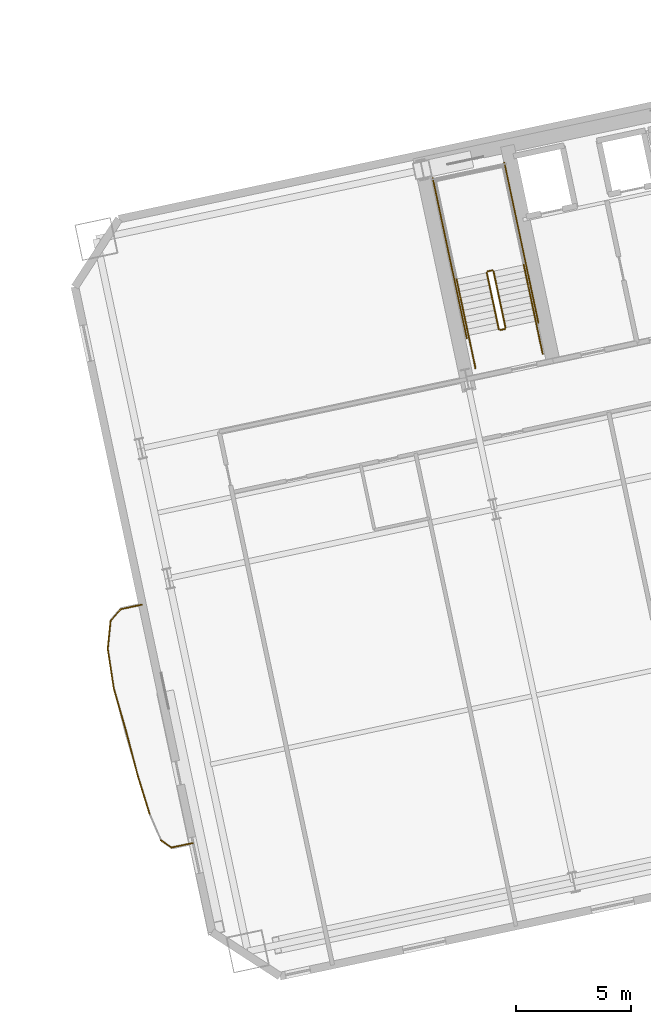
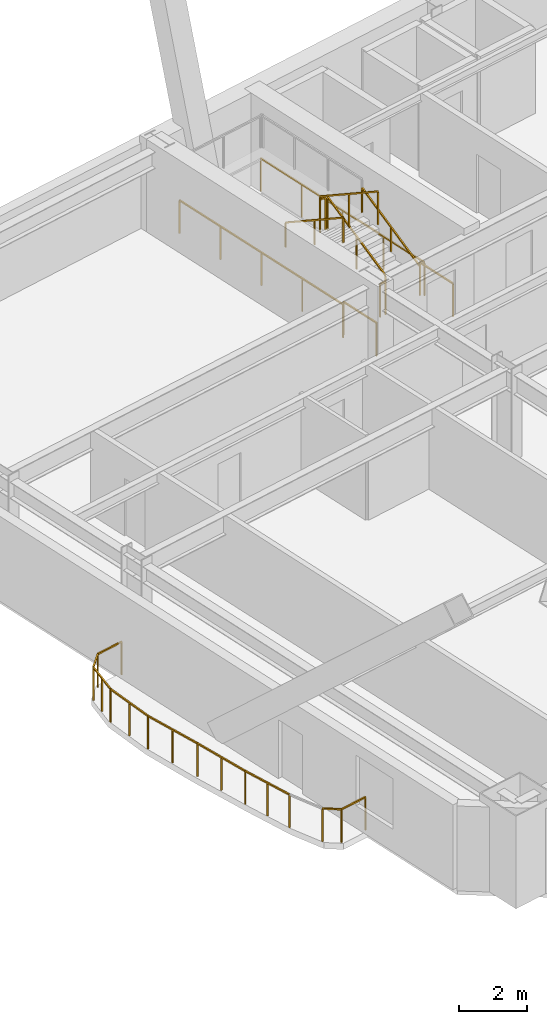
# One storey, part 15 of 17: 19 railings.
"""IFC4 building model written with IfcOpenShell, lengths in metres."""

from ifc_helpers import new_model, si_unit, direction, frame, origin, origin_2d, place, context, subcontext, project, spatial, rectangle, extrude, material, type_object, element, save


model = new_model("IFC4")

# Units and contexts
model_context = context("Model", 3, precision=1e-05, world=origin(), true_north=direction((0.0, 1.0)))
body_context = subcontext(model_context, "Body", "Model", "MODEL_VIEW")
ifc_project = project(units=[si_unit("LENGTHUNIT", "METRE"), si_unit("AREAUNIT", "SQUARE_METRE"), si_unit("VOLUMEUNIT", "CUBIC_METRE"), si_unit("PLANEANGLEUNIT", "RADIAN"), si_unit("MASSUNIT", "GRAM", prefix="KILO")], contexts=[model_context])

# Site, building, storey
site_placement = place(None, origin())
site = spatial("IfcSite", under=ifc_project, at=site_placement, CompositionType="ELEMENT")
building_placement = place(site_placement, origin())
building = spatial("IfcBuilding", under=site, at=building_placement, Name="Haevon Station Towers", CompositionType="ELEMENT")
storey_placement = place(building_placement, frame((0.0, 0.0, 40.5)))
storey = spatial("IfcBuildingStorey", under=building, at=storey_placement, Name="L09", CompositionType="ELEMENT", Elevation=40.5)

# Railings
ifc_material = material(Name="Steel S355", Category="steel")
railing_type_1 = type_object("IfcRailingType", Name="GRD-EXT1200", PredefinedType="GUARDRAIL", material=ifc_material)
railing_1_placement = place(storey_placement, frame((84.5654296875, 27.599853515625, 0.0)))
element("IfcRailing", 1, at=railing_1_placement, inside=storey, type_object=railing_type_1, Name="L09 Perimeter Guardrail 1", PredefinedType="GUARDRAIL", context=body_context, shape_type="SweptSolid", body=[
    extrude(rectangle(XDim=0.048095703125, YDim=0.048095703125, at=origin_2d()), frame((0.0, 0.0, 1.17578125), z_axis=(-0.977684892297, -0.210076774952, 0.0), x_axis=(0.210076774952, -0.977684892297, 0.0)), (0.0, 0.0, 1.0), 0.943603515625),
    extrude(rectangle(XDim=0.0419921875, YDim=0.0419921875, at=origin_2d()), origin(), (0.0, 0.0, 1.0), 1.15185546875),
    extrude(rectangle(XDim=0.0419921875, YDim=0.0419921875, at=origin_2d()), frame((-0.922607421875, -0.1982421875, 0.0)), (0.0, 0.0, 1.0), 1.15185546875),
])
railing_2_placement = place(storey_placement, frame((83.642822265625, 27.401611328125, 0.0)))
element("IfcRailing", 2, at=railing_2_placement, inside=storey, type_object=railing_type_1, Name="L09 Perimeter Guardrail 2", PredefinedType="GUARDRAIL", context=body_context, shape_type="SweptSolid", body=[
    extrude(rectangle(XDim=0.048095703125, YDim=0.048095703125, at=origin_2d()), frame((0.0, 0.0, 1.17578125), z_axis=(-0.655842218903, -0.754897995695, 0.0), x_axis=(0.754897995695, -0.655842218903, 0.0)), (0.0, 0.0, 1.0), 0.6826171875),
    extrude(rectangle(XDim=0.0419921875, YDim=0.0419921875, at=origin_2d()), origin(), (0.0, 0.0, 1.0), 1.15185546875),
    extrude(rectangle(XDim=0.0419921875, YDim=0.0419921875, at=origin_2d()), frame((-0.44775390625, -0.515380859375, 0.0)), (0.0, 0.0, 1.0), 1.15185546875),
])
railing_3_placement = place(storey_placement, frame((83.195068359375, 26.88623046875, 0.0)))
element("IfcRailing", 3, at=railing_3_placement, inside=storey, type_object=railing_type_1, Name="L09 Perimeter Guardrail 3", PredefinedType="GUARDRAIL", context=body_context, shape_type="SweptSolid", body=[
    extrude(rectangle(XDim=0.048095703125, YDim=0.048095703125, at=origin_2d()), frame((0.0, 0.0, 1.17578125), z_axis=(-0.098459885115, -0.995141020671, 0.0), x_axis=(0.995141020671, -0.098459885115, 0.0)), (0.0, 0.0, 1.0), 1.227294921875),
    extrude(rectangle(XDim=0.0419921875, YDim=0.0419921875, at=origin_2d()), origin(), (0.0, 0.0, 1.0), 1.15185546875),
    extrude(rectangle(XDim=0.0419921875, YDim=0.0419921875, at=origin_2d()), frame((-0.060546875, -0.61083984375, 0.0)), (0.0, 0.0, 1.0), 1.15185546875),
    extrude(rectangle(XDim=0.0419921875, YDim=0.0419921875, at=origin_2d()), frame((-0.120849609375, -1.221435546875, 0.0)), (0.0, 0.0, 1.0), 1.15185546875),
])
railing_4_placement = place(storey_placement, frame((83.07421875, 25.664794921875, 0.0)))
element("IfcRailing", 4, at=railing_4_placement, inside=storey, type_object=railing_type_1, Name="L09 Perimeter Guardrail 4", PredefinedType="GUARDRAIL", context=body_context, shape_type="SweptSolid", body=[
    extrude(rectangle(XDim=0.048095703125, YDim=0.048095703125, at=origin_2d()), frame((0.0, 0.0, 1.17578125), z_axis=(0.151114322606, -0.988516292988, 0.0), x_axis=(0.988516292988, 0.151114322606, 0.0)), (0.0, 0.0, 1.0), 1.751220703125),
    extrude(rectangle(XDim=0.0419921875, YDim=0.0419921875, at=origin_2d()), origin(), (0.0, 0.0, 1.0), 1.15185546875),
    extrude(rectangle(XDim=0.0419921875, YDim=0.0419921875, at=origin_2d()), frame((0.13232421875, -0.86572265625, 0.0)), (0.0, 0.0, 1.0), 1.15185546875),
    extrude(rectangle(XDim=0.0419921875, YDim=0.0419921875, at=origin_2d()), frame((0.2646484375, -1.731201171875, 0.0)), (0.0, 0.0, 1.0), 1.15185546875),
])
railing_5_placement = place(storey_placement, frame((83.3388671875, 23.93359375, 0.0)))
element("IfcRailing", 5, at=railing_5_placement, inside=storey, type_object=railing_type_1, Name="L09 Perimeter Guardrail 5", PredefinedType="GUARDRAIL", context=body_context, shape_type="SweptSolid", body=[
    extrude(rectangle(XDim=0.048095703125, YDim=0.048095703125, at=origin_2d()), frame((0.0, 0.0, 1.17578125), z_axis=(0.275835687337, -0.961204803146, 0.0), x_axis=(0.961204803146, 0.275835687337, 0.0)), (0.0, 0.0, 1.0), 1.995849609375),
    extrude(rectangle(XDim=0.0419921875, YDim=0.0419921875, at=origin_2d()), origin(), (0.0, 0.0, 1.0), 1.15185546875),
    extrude(rectangle(XDim=0.0419921875, YDim=0.0419921875, at=origin_2d()), frame((0.275390625, -0.959228515625, 0.0)), (0.0, 0.0, 1.0), 1.15185546875),
    extrude(rectangle(XDim=0.0419921875, YDim=0.0419921875, at=origin_2d()), frame((0.550537109375, -1.91845703125, 0.0)), (0.0, 0.0, 1.0), 1.15185546875),
])
railing_6_placement = place(storey_placement, frame((83.889404296875, 22.01513671875, 0.0)))
element("IfcRailing", 6, at=railing_6_placement, inside=storey, type_object=railing_type_1, Name="L09 Perimeter Guardrail 6", PredefinedType="GUARDRAIL", context=body_context, shape_type="SweptSolid", body=[
    extrude(rectangle(XDim=0.048095703125, YDim=0.048095703125, at=origin_2d()), frame((0.0, 0.0, 1.17578125), z_axis=(0.254203560264, -0.967150737966, 0.0), x_axis=(0.967150737966, 0.254203560264, 0.0)), (0.0, 0.0, 1.0), 1.990966796875),
    extrude(rectangle(XDim=0.0419921875, YDim=0.0419921875, at=origin_2d()), origin(), (0.0, 0.0, 1.0), 1.15185546875),
    extrude(rectangle(XDim=0.0419921875, YDim=0.0419921875, at=origin_2d()), frame((0.2529296875, -0.962890625, 0.0)), (0.0, 0.0, 1.0), 1.15185546875),
    extrude(rectangle(XDim=0.0419921875, YDim=0.0419921875, at=origin_2d()), frame((0.506103515625, -1.925537109375, 0.0)), (0.0, 0.0, 1.0), 1.15185546875),
])
railing_7_placement = place(storey_placement, frame((84.3955078125, 20.089599609375, 0.0)))
element("IfcRailing", 7, at=railing_7_placement, inside=storey, type_object=railing_type_1, Name="L09 Perimeter Guardrail 7", PredefinedType="GUARDRAIL", context=body_context, shape_type="SweptSolid", body=[
    extrude(rectangle(XDim=0.048095703125, YDim=0.048095703125, at=origin_2d()), frame((0.0, 0.0, 1.17578125), z_axis=(0.295267067972, -0.955414757355, 0.0), x_axis=(0.955414757355, 0.295267067972, 0.0)), (0.0, 0.0, 1.0), 1.757080078125),
    extrude(rectangle(XDim=0.0419921875, YDim=0.0419921875, at=origin_2d()), origin(), (0.0, 0.0, 1.0), 1.15185546875),
    extrude(rectangle(XDim=0.0419921875, YDim=0.0419921875, at=origin_2d()), frame((0.25927734375, -0.83935546875, 0.0)), (0.0, 0.0, 1.0), 1.15185546875),
    extrude(rectangle(XDim=0.0419921875, YDim=0.0419921875, at=origin_2d()), frame((0.518798828125, -1.6787109375, 0.0)), (0.0, 0.0, 1.0), 1.15185546875),
])
railing_8_placement = place(storey_placement, frame((85.39306640625, 17.316162109375, 0.0)))
element("IfcRailing", 8, at=railing_8_placement, inside=storey, type_object=railing_type_1, Name="L09 Perimeter Guardrail 9", PredefinedType="GUARDRAIL", context=body_context, shape_type="SweptSolid", body=[
    extrude(rectangle(XDim=0.048095703125, YDim=0.048095703125, at=origin_2d()), frame((0.0, 0.0, 1.17578125), z_axis=(0.820126954301, -0.572181596024, 0.0), x_axis=(0.572181596024, 0.820126954301, 0.0)), (0.0, 0.0, 1.0), 0.563232421875),
    extrude(rectangle(XDim=0.0419921875, YDim=0.0419921875, at=origin_2d()), origin(), (0.0, 0.0, 1.0), 1.15185546875),
    extrude(rectangle(XDim=0.0419921875, YDim=0.0419921875, at=origin_2d()), frame((0.4619140625, -0.322265625, 0.0)), (0.0, 0.0, 1.0), 1.15185546875),
])
railing_9_placement = place(storey_placement, frame((85.85498046875, 16.993896484375, 0.0)))
element("IfcRailing", 9, at=railing_9_placement, inside=storey, type_object=railing_type_1, Name="L09 Perimeter Guardrail 10", PredefinedType="GUARDRAIL", context=body_context, shape_type="SweptSolid", body=[
    extrude(rectangle(XDim=0.048095703125, YDim=0.048095703125, at=origin_2d()), frame((0.0, 0.0, 1.17578125), z_axis=(0.978571736022, 0.205906186062, 0.0), x_axis=(-0.205906186062, 0.978571736022, 0.0)), (0.0, 0.0, 1.0), 0.94384765625),
    extrude(rectangle(XDim=0.0419921875, YDim=0.0419921875, at=origin_2d()), origin(), (0.0, 0.0, 1.0), 1.15185546875),
    extrude(rectangle(XDim=0.0419921875, YDim=0.0419921875, at=origin_2d()), frame((0.923583984375, 0.1943359375, 0.0)), (0.0, 0.0, 1.0), 1.15185546875),
])
railing_type_2 = type_object("IfcRailingType", Name="GRD-STR1200", PredefinedType="GUARDRAIL", material=ifc_material)
railing_10_placement = place(storey_placement, frame((100.44140625, 39.69287109375, 0.1650390625)))
element("IfcRailing", 10, at=railing_10_placement, inside=storey, type_object=railing_type_2, Name="L09 ST3 Stair Guard 1", PredefinedType="GUARDRAIL", context=body_context, shape_type="SweptSolid", body=[
    extrude(rectangle(XDim=0.048095703125, YDim=0.048095703125, at=origin_2d()), frame((0.0, 0.0, 1.17578125), z_axis=(-0.179128856099, 0.842723639875, 0.507670877349), x_axis=(-0.978147030254, -0.207914374695, 0.0)), (0.0, 0.0, 1.0), 2.9248046875),
    extrude(rectangle(XDim=0.0419921875, YDim=0.0419921875, at=origin_2d()), origin(), (0.0, 0.0, 1.0), 1.15185546875),
    extrude(rectangle(XDim=0.0419921875, YDim=0.0419921875, at=origin_2d()), frame((-0.261962890625, 1.232421875, 0.742431640625)), (0.0, 0.0, 1.0), 1.15185546875),
    extrude(rectangle(XDim=0.0419921875, YDim=0.0419921875, at=origin_2d()), frame((-0.52392578125, 2.46484375, 1.48486328125)), (0.0, 0.0, 1.0), 1.15185546875),
])
railing_11_placement = place(storey_placement, frame((99.858154296875, 42.1962890625, 1.64990234375)))
element("IfcRailing", 11, at=railing_11_placement, inside=storey, type_object=railing_type_2, Name="L09 ST3 Stair Guard 2", PredefinedType="GUARDRAIL", context=body_context, shape_type="SweptSolid", body=[
    extrude(rectangle(XDim=0.048095703125, YDim=0.048095703125, at=origin_2d()), frame((0.0, 0.0, 1.17578125), z_axis=(-0.977962931203, -0.208778603291, 0.0), x_axis=(0.208778603291, -0.977962931203, 0.0)), (0.0, 0.0, 1.0), 0.199951171875),
    extrude(rectangle(XDim=0.0419921875, YDim=0.0419921875, at=origin_2d()), origin(), (0.0, 0.0, 1.0), 1.15185546875),
    extrude(rectangle(XDim=0.0419921875, YDim=0.0419921875, at=origin_2d()), frame((-0.195556640625, -0.041748046875, 0.0)), (0.0, 0.0, 1.0), 1.15185546875),
])
railing_12_placement = place(storey_placement, frame((99.6240234375, 42.09521484375, 1.81494140625)))
element("IfcRailing", 12, at=railing_12_placement, inside=storey, type_object=railing_type_2, Name="L09 ST3 Stair Guard 6", PredefinedType="GUARDRAIL", context=body_context, shape_type="SweptSolid", body=[
    extrude(rectangle(XDim=0.048095703125, YDim=0.048095703125, at=origin_2d()), frame((0.0, 0.0, 1.17578125), z_axis=(0.179121265225, -0.842687928106, 0.507732831485), x_axis=(0.978147030254, 0.207914374695, 0.0)), (0.0, 0.0, 1.0), 2.925048828125),
    extrude(rectangle(XDim=0.0419921875, YDim=0.0419921875, at=origin_2d()), origin(), (0.0, 0.0, 1.0), 1.15185546875),
    extrude(rectangle(XDim=0.0419921875, YDim=0.0419921875, at=origin_2d()), frame((0.261962890625, -1.232421875, 0.74267578125)), (0.0, 0.0, 1.0), 1.15185546875),
    extrude(rectangle(XDim=0.0419921875, YDim=0.0419921875, at=origin_2d()), frame((0.52392578125, -2.46484375, 1.485107421875)), (0.0, 0.0, 1.0), 1.15185546875),
])
railing_13_placement = place(storey_placement, frame((100.40283203125, 39.633544921875, 0.0)))
element("IfcRailing", 13, at=railing_13_placement, inside=storey, type_object=railing_type_2, Name="L09 ST3 Stair Guard 7", PredefinedType="GUARDRAIL", context=body_context, shape_type="SweptSolid", body=[
    extrude(rectangle(XDim=0.048095703125, YDim=0.048095703125, at=origin_2d()), frame((0.0, 0.0, 1.17578125), z_axis=(-0.977962931203, -0.208778603291, 0.0), x_axis=(0.208778603291, -0.977962931203, 0.0)), (0.0, 0.0, 1.0), 0.199951171875),
    extrude(rectangle(XDim=0.0419921875, YDim=0.0419921875, at=origin_2d()), origin(), (0.0, 0.0, 1.0), 1.15185546875),
    extrude(rectangle(XDim=0.0419921875, YDim=0.0419921875, at=origin_2d()), frame((-0.195556640625, -0.041748046875, 0.0)), (0.0, 0.0, 1.0), 1.15185546875),
])
for number, where, name in (
    (14, (102.0634765625, 38.55517578125, 0.0), "L09 ST3 Stair Guard 8"),
    (15, (99.12890625, 37.931396484375, 0.0), "L09 ST3 Stair Guard 9"),
):
    element("IfcRailing", number, at=place(storey_placement, frame(where)), inside=storey, type_object=railing_type_2, Name=name, PredefinedType="GUARDRAIL", context=body_context, shape_type="SweptSolid", body=[
        extrude(rectangle(XDim=0.048095703125, YDim=0.048095703125, at=origin_2d()), frame((0.0, 0.0, 1.17578125), z_axis=(-0.207953405961, 0.978138732977, 0.0), x_axis=(-0.978138732977, -0.207953405961, 0.0)), (0.0, 0.0, 1.0), 1.449951171875),
        extrude(rectangle(XDim=0.0419921875, YDim=0.0419921875, at=origin_2d()), origin(), (0.0, 0.0, 1.0), 1.15185546875),
        extrude(rectangle(XDim=0.0419921875, YDim=0.0419921875, at=origin_2d()), frame((-0.301513671875, 1.418212890625, 0.0)), (0.0, 0.0, 1.0), 1.15185546875),
    ])
railing_14_placement = place(storey_placement, frame((101.88037109375, 39.896484375, 0.0)))
element("IfcRailing", 16, at=railing_14_placement, inside=storey, type_object=railing_type_2, Name="L09 ST3 Stair Guard 10", PredefinedType="GUARDRAIL", context=body_context, shape_type="SweptSolid", body=[
    extrude(rectangle(XDim=0.048095703125, YDim=0.048095703125, at=origin_2d()), frame((0.0, 0.0, 1.17578125), z_axis=(-0.207882442208, 0.978153817261, 0.0), x_axis=(-0.978153817261, -0.207882442208, 0.0)), (0.0, 0.0, 1.0), 7.14990234375),
    extrude(rectangle(XDim=0.0419921875, YDim=0.0419921875, at=origin_2d()), origin(), (0.0, 0.0, 1.0), 1.15185546875),
    extrude(rectangle(XDim=0.0419921875, YDim=0.0419921875, at=origin_2d()), frame((-0.37158203125, 1.74853515625, 0.0)), (0.0, 0.0, 1.0), 1.15185546875),
    extrude(rectangle(XDim=0.0419921875, YDim=0.0419921875, at=origin_2d()), frame((-0.7431640625, 3.496826171875, 0.0)), (0.0, 0.0, 1.0), 1.15185546875),
    extrude(rectangle(XDim=0.0419921875, YDim=0.0419921875, at=origin_2d()), frame((-1.11474609375, 5.2451171875, 0.0)), (0.0, 0.0, 1.0), 1.15185546875),
    extrude(rectangle(XDim=0.0419921875, YDim=0.0419921875, at=origin_2d()), frame((-1.486328125, 6.99365234375, 0.0)), (0.0, 0.0, 1.0), 1.15185546875),
])
railing_15_placement = place(storey_placement, frame((98.75048828125, 39.231201171875, 0.0)))
element("IfcRailing", 17, at=railing_15_placement, inside=storey, type_object=railing_type_2, Name="L09 ST3 Stair Guard 11", PredefinedType="GUARDRAIL", context=body_context, shape_type="SweptSolid", body=[
    extrude(rectangle(XDim=0.048095703125, YDim=0.048095703125, at=origin_2d()), frame((0.0, 0.0, 1.17578125), z_axis=(-0.207915112487, 0.978146873429, 0.0), x_axis=(-0.978146873429, -0.207915112487, 0.0)), (0.0, 0.0, 1.0), 7.14990234375),
    extrude(rectangle(XDim=0.0419921875, YDim=0.0419921875, at=origin_2d()), origin(), (0.0, 0.0, 1.0), 1.15185546875),
    extrude(rectangle(XDim=0.0419921875, YDim=0.0419921875, at=origin_2d()), frame((-0.37158203125, 1.74853515625, 0.0)), (0.0, 0.0, 1.0), 1.15185546875),
    extrude(rectangle(XDim=0.0419921875, YDim=0.0419921875, at=origin_2d()), frame((-0.7431640625, 3.496826171875, 0.0)), (0.0, 0.0, 1.0), 1.15185546875),
    extrude(rectangle(XDim=0.0419921875, YDim=0.0419921875, at=origin_2d()), frame((-1.114990234375, 5.2451171875, 0.0)), (0.0, 0.0, 1.0), 1.15185546875),
    extrude(rectangle(XDim=0.0419921875, YDim=0.0419921875, at=origin_2d()), frame((-1.486572265625, 6.99365234375, 0.0)), (0.0, 0.0, 1.0), 1.15185546875),
])
railing_type_3 = type_object("IfcRailingType", Name="HND-STR900", PredefinedType="HANDRAIL", material=ifc_material)
railing_16_placement = place(storey_placement, frame((101.761962890625, 39.973388671875, 0.1650390625)))
element("IfcRailing", 18, at=railing_16_placement, inside=storey, type_object=railing_type_3, Name="L09 ST3 Stair Handrail 1", PredefinedType="HANDRAIL", context=body_context, shape_type="SweptSolid", body=[
    extrude(rectangle(XDim=0.048095703125, YDim=0.048095703125, at=origin_2d()), frame((0.0, 0.0, 0.8759765625), z_axis=(-0.179116256339, 0.842747828638, 0.507635168246), x_axis=(-0.978151217824, -0.207894673017, 0.0)), (0.0, 0.0, 1.0), 2.925048828125),
    extrude(rectangle(XDim=0.0419921875, YDim=0.0419921875, at=origin_2d()), origin(), (0.0, 0.0, 1.0), 0.851806640625),
    extrude(rectangle(XDim=0.0419921875, YDim=0.0419921875, at=origin_2d()), frame((-0.261962890625, 1.232421875, 0.742431640625)), (0.0, 0.0, 1.0), 0.851806640625),
    extrude(rectangle(XDim=0.0419921875, YDim=0.0419921875, at=origin_2d()), frame((-0.52392578125, 2.465087890625, 1.48486328125)), (0.0, 0.0, 1.0), 0.851806640625),
])
railing_17_placement = place(storey_placement, frame((98.303466796875, 41.814697265625, 1.81494140625)))
element("IfcRailing", 19, at=railing_17_placement, inside=storey, type_object=railing_type_3, Name="L09 ST3 Stair Handrail 2", PredefinedType="HANDRAIL", context=body_context, shape_type="SweptSolid", body=[
    extrude(rectangle(XDim=0.048095703125, YDim=0.048095703125, at=origin_2d()), frame((0.0, 0.0, 0.8759765625), z_axis=(0.179108667068, -0.842712120868, 0.50769712105), x_axis=(0.978151217824, 0.207894673017, 0.0)), (0.0, 0.0, 1.0), 2.92529296875),
    extrude(rectangle(XDim=0.0419921875, YDim=0.0419921875, at=origin_2d()), origin(), (0.0, 0.0, 1.0), 0.851806640625),
    extrude(rectangle(XDim=0.0419921875, YDim=0.0419921875, at=origin_2d()), frame((0.261962890625, -1.232421875, 0.74267578125)), (0.0, 0.0, 1.0), 0.851806640625),
    extrude(rectangle(XDim=0.0419921875, YDim=0.0419921875, at=origin_2d()), frame((0.52392578125, -2.465087890625, 1.485107421875)), (0.0, 0.0, 1.0), 0.851806640625),
])

save(model, "model.ifc")
